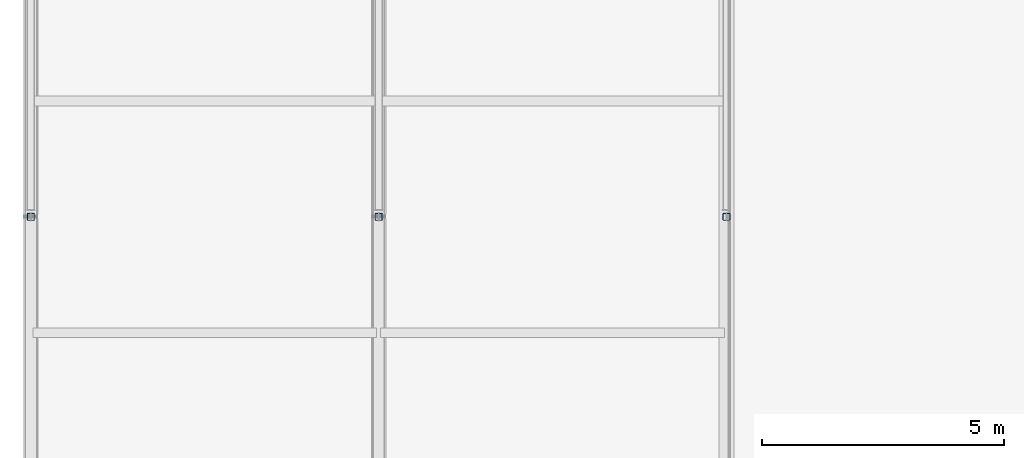
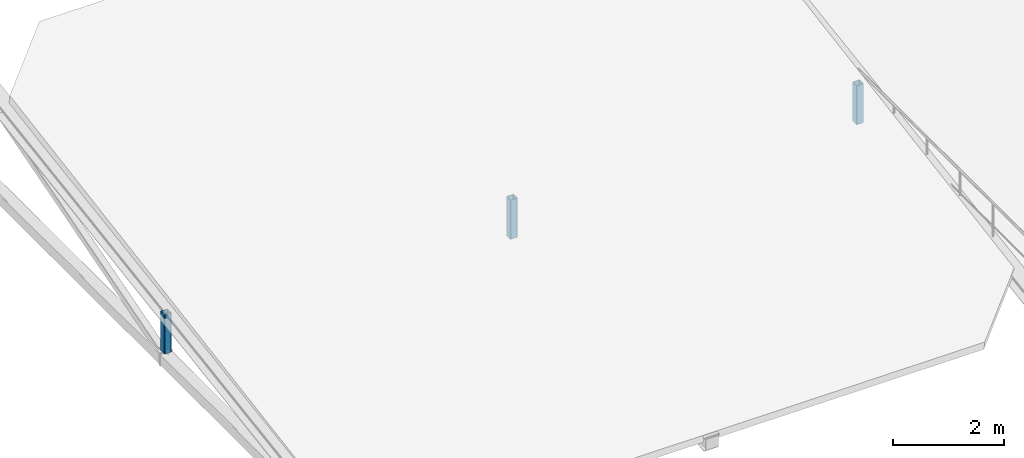
# One storey, part 67 of 136: 3 members.
"""IFC4 building model written with IfcOpenShell, lengths in metres."""

from ifc_helpers import new_model, si_unit, direction, frame, origin, origin_2d, place, context, subcontext, project, spatial, hollow_rectangle, extrude, material, material_profile, profile_set, type_object, element, save


model = new_model("IFC4")

# Units and contexts
model_context = context("Model", 3, precision=1e-05, world=origin(), true_north=direction((0.0, 1.0)))
body_context = subcontext(model_context, "Body", "Model", "MODEL_VIEW")
ifc_project = project(units=[si_unit("LENGTHUNIT", "METRE"), si_unit("AREAUNIT", "SQUARE_METRE"), si_unit("VOLUMEUNIT", "CUBIC_METRE"), si_unit("PLANEANGLEUNIT", "RADIAN"), si_unit("MASSUNIT", "GRAM", prefix="KILO")], contexts=[model_context])

# Site, building, storey
site_placement = place(None, origin())
site = spatial("IfcSite", under=ifc_project, at=site_placement, CompositionType="ELEMENT")
building_placement = place(site_placement, origin())
building = spatial("IfcBuilding", under=site, at=building_placement, Name="Koriwan Promenade Central Fire Station", CompositionType="ELEMENT")
storey_placement = place(building_placement, frame((0.0, 0.0, 5.39990234375)))
storey = spatial("IfcBuildingStorey", under=building, at=storey_placement, Name="L01", CompositionType="ELEMENT", Elevation=5.39990234375)

# Members
ifc_material = material(Name="Steel ASTM A500 Grade C", Category="steel")
ifc_material_profile = material_profile(ifc_material, hollow_rectangle(XDim=0.14990234375, YDim=0.14990234375, WallThickness=0.008056640625, InnerFilletRadius=0.008056640625, OuterFilletRadius=0.01611328125, at=origin_2d()), Name="HSS150x150x8")
ifc_profile_set = profile_set([ifc_material_profile], Name="Steel ASTM A500 Grade C")
member_type = type_object("IfcMemberType", Name="Member_STRUT_HSS150x150x8", PredefinedType="STRUT", material=ifc_profile_set)
for number, where, z_axis, x_axis, name in (
    (1, (0.0, 50.39990234375, 0.0), (0.0, 0.0, 1.0), (1.0, 0.0, 0.0), "V4 west pavilion truss 1 mid vertical"),
    (2, (7.199951171875, 50.39990234375, 0.0), (0.0, 0.0, 1.0), (1.0, 0.0, 0.0), "V4 west pavilion truss 2 mid vertical"),
    (3, (14.39990234375, 50.39990234375, 0.0), (0.0, 0.0, 1.0), (1.0, 0.0, 0.0), "V4 west pavilion truss 3 mid vertical"),
):
    element("IfcMember", number, at=place(storey_placement, frame(where, z_axis=z_axis, x_axis=x_axis)), inside=storey, type_object=member_type, Name=name, PredefinedType="STRUT", context=body_context, shape_type="SweptSolid", body=[
        extrude(hollow_rectangle(XDim=0.14990234375, YDim=0.14990234375, WallThickness=0.008056640625, InnerFilletRadius=0.008056640625, OuterFilletRadius=0.01611328125, at=origin_2d()), origin(), (0.0, 0.0, 1.0), 0.860107421875),
    ])

save(model, "model.ifc")
